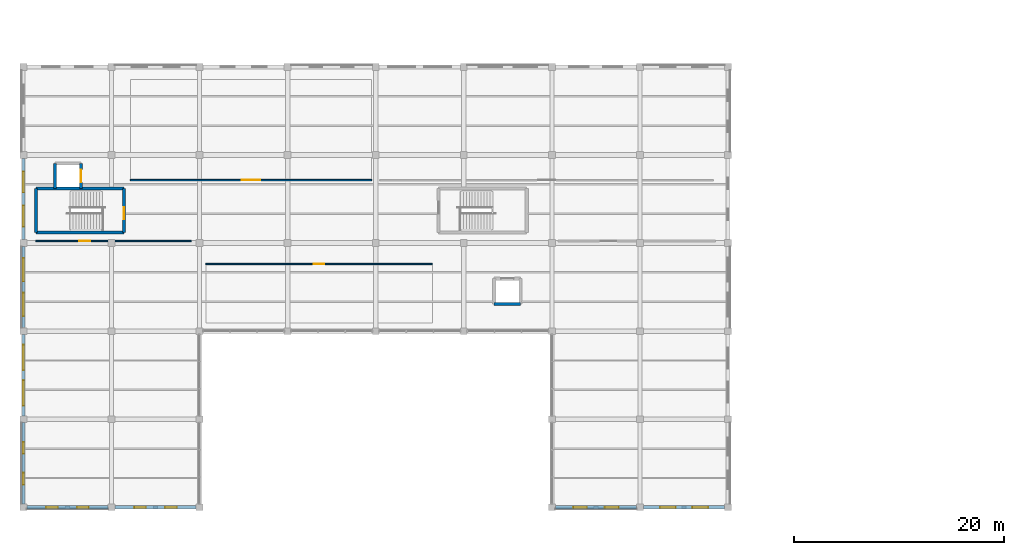
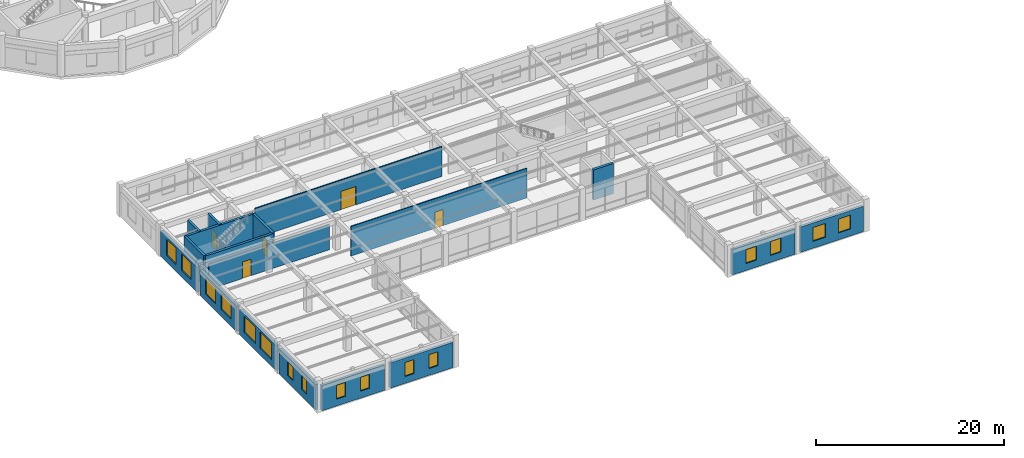
# One storey, part 109 of 138: 18 walls, 16 windows, 5 doors, 21 openings.
"""IFC4 building model written with IfcOpenShell, lengths in metres."""

import ifcopenshell
import ifcopenshell.guid

model = None  # the IFC model being written
_history = None  # IfcOwnerHistory: only IFC2X3 demands one
_inside = {}  # id of a spatial element -> (the spatial element, [elements in it])
_under = {}  # id of a project, library or spatial element -> (it, [spatial elements below it])
_declared = {}  # id of a project -> (the project, [libraries it declares])
_typed = {}  # id of a type object -> (the type object, [elements of that type])
_made_of = {}  # id of a material, layer set ... -> (it, [elements and type objects made of it])


def new_model(schema):
    """Start an empty IFC model of exactly this schema.

    Asked for "IFC4X3", IfcOpenShell would pick the latest addendum, in which some entities
    have other attributes; the version numbers below select the first issue.
    IFC2X3 requires an IfcOwnerHistory on every rooted entity: one is made here for all.
    """
    global model, _history
    if schema == "IFC4X3":
        model = ifcopenshell.file(schema_version=(4, 3, 0, 0))
    else:
        model = ifcopenshell.file(schema=schema)
    _inside.clear()
    _under.clear()
    _declared.clear()
    _typed.clear()
    _made_of.clear()
    _history = None
    if model.schema == "IFC2X3":
        org = make("IfcOrganization", Name="unknown")
        user = make(
            "IfcPersonAndOrganization",
            ThePerson=make("IfcPerson", FamilyName="unknown"),
            TheOrganization=org,
        )
        app = make(
            "IfcApplication",
            ApplicationDeveloper=org,
            Version="unknown",
            ApplicationFullName="unknown",
            ApplicationIdentifier="unknown",
        )
        _history = make(
            "IfcOwnerHistory",
            OwningUser=user,
            OwningApplication=app,
            ChangeAction="ADDED",
            CreationDate=0,
        )
    return model


def make(cls, **values):
    """One entity of the class cls with the attributes given. An attribute that is None is left unset."""
    return model.create_entity(
        cls, **{name: value for name, value in values.items() if value is not None}
    )


def rooted(cls, **values):
    """An entity with a GlobalId (a new one), such as an element, a storey or a relation."""
    return make(cls, GlobalId=ifcopenshell.guid.new(), OwnerHistory=_history, **values)


def si_unit(unit_type, name, prefix=None):
    """IfcSIUnit, for example si_unit("LENGTHUNIT", "METRE", prefix="MILLI")."""
    return make("IfcSIUnit", UnitType=unit_type, Prefix=prefix, Name=name)


def assignment(units):
    """IfcUnitAssignment: the units of a project."""
    return None if units is None else make("IfcUnitAssignment", Units=units)


def point(xyz):
    """IfcCartesianPoint."""
    return None if xyz is None else make("IfcCartesianPoint", Coordinates=xyz)


def direction(xyz):
    """IfcDirection."""
    return None if xyz is None else make("IfcDirection", DirectionRatios=xyz)


def frame(location, z_axis=None, x_axis=None):
    """IfcAxis2Placement3D, a coordinate frame: its origin and axes. An axis left out is left unset."""
    return make(
        "IfcAxis2Placement3D",
        Location=point(location),
        Axis=direction(z_axis),
        RefDirection=direction(x_axis),
    )


def frame_2d(location, x_axis=None):
    """IfcAxis2Placement2D, a coordinate frame in the plane: its origin and x axis."""
    return make(
        "IfcAxis2Placement2D", Location=point(location), RefDirection=direction(x_axis)
    )


def origin():
    """The frame at (0, 0, 0) with its axes left unset."""
    return frame((0.0, 0.0, 0.0))


def place(relative_to, where):
    """IfcLocalPlacement: puts the frame where relative to a parent placement (None: the world)."""
    return make(
        "IfcLocalPlacement", PlacementRelTo=relative_to, RelativePlacement=where
    )


def context(
    kind, dimensions, precision=None, world=None, true_north=None, identifier=None
):
    """IfcGeometricRepresentationContext, for example the 3D "Model" context."""
    return make(
        "IfcGeometricRepresentationContext",
        ContextIdentifier=identifier,
        ContextType=kind,
        CoordinateSpaceDimension=dimensions,
        Precision=precision,
        WorldCoordinateSystem=world,
        TrueNorth=true_north,
    )


def subcontext(parent, identifier, kind, view, scale=None):
    """IfcGeometricRepresentationSubContext, for example "Body" below "Model"."""
    return make(
        "IfcGeometricRepresentationSubContext",
        ContextIdentifier=identifier,
        ContextType=kind,
        ParentContext=parent,
        TargetScale=scale,
        TargetView=view,
    )


def project(units=None, contexts=None):
    """IfcProject with its units and contexts."""
    return rooted(
        "IfcProject",
        Name="project",
        RepresentationContexts=contexts,
        UnitsInContext=assignment(units),
    )


def spatial(cls, under=None, at=None, **own):
    """A site, building, storey or space (cls), placed at a placement, below another one or the project."""
    s = rooted(cls, ObjectPlacement=at, **own)
    if under is not None:
        _under.setdefault(under.id(), (under, []))[1].append(s)
    return s


def profile(cls, at=None, kind="AREA", **sizes):
    """A parametric profile (cls). Its sizes go by their IFC names, for example OverallWidth=200.0."""
    return make(cls, ProfileType=kind, Position=at, **sizes)


def rectangle(**sizes):
    """IfcRectangleProfileDef."""
    return profile("IfcRectangleProfileDef", **sizes)


def extrude(swept, where, along, depth):
    """IfcExtrudedAreaSolid: the profile swept, set in the frame where, extruded along a direction by depth."""
    return make(
        "IfcExtrudedAreaSolid",
        SweptArea=swept,
        Position=where,
        ExtrudedDirection=direction(along),
        Depth=depth,
    )


def shape(context_of_items, identifier, shape_type, items):
    """IfcShapeRepresentation: the items that make up one representation, for example the "Body"."""
    return make(
        "IfcShapeRepresentation",
        ContextOfItems=context_of_items,
        RepresentationIdentifier=identifier,
        RepresentationType=shape_type,
        Items=items,
    )


def material(Name=None, Category=None):
    """IfcMaterial."""
    return make("IfcMaterial", Name=Name, Category=Category)


def layer(
    of_material, thickness, ventilated=None, Name=None, Category=None, Priority=None
):
    """IfcMaterialLayer: one layer of a wall or slab, of a material (None: an air gap)."""
    return make(
        "IfcMaterialLayer",
        Material=of_material,
        LayerThickness=thickness,
        IsVentilated=ventilated,
        Name=Name,
        Category=Category,
        Priority=Priority,
    )


def layer_set(layers, Name=None):
    """IfcMaterialLayerSet."""
    return make("IfcMaterialLayerSet", MaterialLayers=layers, LayerSetName=Name)


def made_of(thing, what):
    """Note that an element or type object is made of a material, layer set ...; save() writes the relation."""
    if what is not None:
        _made_of.setdefault(what.id(), (what, []))[1].append(thing)
    return thing


def type_object(cls, material=None, **own):
    """A type object (cls), such as IfcWallType, which elements share."""
    return made_of(rooted(cls, **own), material)


def element(
    cls,
    number,
    at=None,
    inside=None,
    cuts=None,
    type_object=None,
    material=None,
    context=None,
    identifier="Body",
    shape_type=None,
    held_by="IfcProductDefinitionShape",
    body=None,
    shapes=None,
    **own,
):
    """One element of the class cls, such as IfcWall. Its Tag is "e" and its number.

    at: its placement. inside: the storey or other place that contains it. cuts: it is an
    opening in that element (IfcRelVoidsElement). A single representation is given by context,
    identifier, shape_type and body (its items); several are given by shapes. held_by: the class
    of the entity that holds the representations. save() writes the other relations.
    """
    e = rooted(cls, Tag="e%d" % number, ObjectPlacement=at, **own)
    if body is not None:
        shapes = [shape(context, identifier, shape_type, body)]
    if shapes is not None:
        e.Representation = make(held_by, Representations=shapes)
    if inside is not None:
        _inside.setdefault(inside.id(), (inside, []))[1].append(e)
    if cuts is not None:
        rooted(
            "IfcRelVoidsElement", RelatingBuildingElement=cuts, RelatedOpeningElement=e
        )
    if type_object is not None:
        _typed.setdefault(type_object.id(), (type_object, []))[1].append(e)
    return made_of(e, material)


def fill(opening, filler):
    """IfcRelFillsElement: the door or window that sits in an opening."""
    return rooted(
        "IfcRelFillsElement",
        RelatingOpeningElement=opening,
        RelatedBuildingElement=filler,
    )


def aggregate(whole, parts):
    """IfcRelAggregates: a whole, such as a stair, and the parts it consists of."""
    return rooted("IfcRelAggregates", RelatingObject=whole, RelatedObjects=parts)


def save(model, path):
    """Write the relations noted so far, then the file.

    IfcRelAggregates (storeys below a building ...), IfcRelContainedInSpatialStructure (elements
    in a storey), IfcRelDefinesByType, IfcRelAssociatesMaterial and IfcRelDeclares: one each for
    every whole, place, type object, material and project.
    """
    for whole, parts in _under.values():
        aggregate(whole, parts)
    for where, things in _inside.values():
        rooted(
            "IfcRelContainedInSpatialStructure",
            RelatedElements=things,
            RelatingStructure=where,
        )
    for kind, things in _typed.values():
        rooted("IfcRelDefinesByType", RelatedObjects=things, RelatingType=kind)
    for what, things in _made_of.values():
        rooted("IfcRelAssociatesMaterial", RelatedObjects=things, RelatingMaterial=what)
    for by, libraries in _declared.values():
        rooted("IfcRelDeclares", RelatingContext=by, RelatedDefinitions=libraries)
    model.write(path)


model = new_model("IFC4")

# Units and contexts
model_context = context("Model", 3, precision=1e-05, world=origin(), true_north=direction((0.0, 1.0)))
body_context = subcontext(model_context, "Body", "Model", "MODEL_VIEW")
ifc_project = project(units=[si_unit("LENGTHUNIT", "METRE"), si_unit("AREAUNIT", "SQUARE_METRE"), si_unit("VOLUMEUNIT", "CUBIC_METRE"), si_unit("PLANEANGLEUNIT", "RADIAN"), si_unit("MASSUNIT", "GRAM", prefix="KILO"), si_unit("THERMODYNAMICTEMPERATUREUNIT", "KELVIN"), si_unit("POWERUNIT", "WATT")], contexts=[model_context])

# Site, building, storey
site_placement = place(None, origin())
site = spatial("IfcSite", under=ifc_project, at=site_placement, CompositionType="ELEMENT")
building_placement = place(site_placement, origin())
building = spatial("IfcBuilding", under=site, at=building_placement, Name="Darbajah Civic Hall", CompositionType="ELEMENT")
storey_placement = place(building_placement, frame((0.0, 0.0, 9.60009765625)))
storey = spatial("IfcBuildingStorey", under=building, at=storey_placement, Name="L02", CompositionType="ELEMENT", Elevation=9.60009765625)

# Wall
ifc_material_1 = material(Name="Concrete C45/55", Category="concrete")
ifc_layer_1 = layer(ifc_material_1, 0.300048828125, Name="Concrete C45/55")
ifc_layer_set_1 = layer_set([ifc_layer_1], Name="Concrete C45/55")
wall_type_1 = type_object("IfcWallType", Name="Core Shear Wall 300mm", PredefinedType="SHEAR", material=ifc_layer_set_1)
wall_1_placement = place(storey_placement, frame((1.199951171875, 26.199951171875, 0.0), z_axis=(0.0, 0.0, 1.0), x_axis=(1.0, 0.0, 0.0)))
element("IfcWall", 1, at=wall_1_placement, inside=storey, type_object=wall_type_1, Name="L02 core C10 shear wall S", PredefinedType="SHEAR", context=body_context, shape_type="SweptSolid", body=[
    extrude(rectangle(XDim=8.400146484375, YDim=0.300048828125, at=frame_2d((4.2001953125, 0.0))), origin(), (0.0, 0.0, 1.0), 3.919921875),
])

# Wall, opening, door
wall_2_placement = place(storey_placement, frame((9.60009765625, 26.199951171875, 0.0), z_axis=(0.0, 0.0, 1.0), x_axis=(0.0, 1.0, 0.0)))
wall_2 = element("IfcWall", 2, at=wall_2_placement, inside=storey, type_object=wall_type_1, Name="L02 core C10 shear wall E", PredefinedType="SHEAR", context=body_context, shape_type="SweptSolid", body=[
    extrude(rectangle(XDim=4.199951171875, YDim=0.300048828125, at=frame_2d((2.10009765625, 0.0))), origin(), (0.0, 0.0, 1.0), 3.919921875),
])
opening_1_placement = place(wall_2_placement, frame((1.25, 0.0, 0.0)))
opening_1 = element("IfcOpeningElement", 3, at=opening_1_placement, cuts=wall_2, Name="Opening SD-0111", PredefinedType="OPENING", context=body_context, shape_type="SweptSolid", body=[
    extrude(rectangle(XDim=1.14990234375, YDim=2.199951171875, at=frame_2d((0.574951171875, 1.10009765625))), frame((0.0, 0.159912109375, 0.0), z_axis=(0.0, -1.0, 0.0), x_axis=(1.0, 0.0, 0.0)), (0.0, 0.0, 1.0), 0.320068359375),
])
ifc_material_2 = material(Name="Steel Rated Core Door", Category="steel")
door_type_1 = type_object("IfcDoorType", Name="Interior Door 1150x2200", OperationType="NOTDEFINED", PredefinedType="DOOR", material=ifc_material_2)
door_1_placement = place(opening_1_placement, origin())
door_1 = element("IfcDoor", 4, at=door_1_placement, inside=storey, type_object=door_type_1, Name="L02 stair ST10 fire door SD-0111", OperationType="SINGLE_SWING_RIGHT", OverallHeight=2.199951171875, OverallWidth=1.14990234375, PredefinedType="DOOR", context=body_context, shape_type="SweptSolid", body=[
    extrude(rectangle(XDim=1.14990234375, YDim=2.199951171875, at=frame_2d((0.574951171875, 1.10009765625))), frame((0.0, 0.02490234375, 0.0), z_axis=(0.0, -1.0, 0.0), x_axis=(1.0, 0.0, 0.0)), (0.0, 0.0, 1.0), 0.050048828125),
])
fill(opening_1, door_1)

# Walls
wall_3_placement = place(storey_placement, frame((9.60009765625, 30.39990234375, 0.0), z_axis=(0.0, 0.0, 1.0), x_axis=(-1.0, 0.0, 0.0)))
element("IfcWall", 5, at=wall_3_placement, inside=storey, type_object=wall_type_1, Name="L02 core C10 shear wall N", PredefinedType="SHEAR", context=body_context, shape_type="SweptSolid", body=[
    extrude(rectangle(XDim=8.400146484375, YDim=0.300048828125, at=frame_2d((4.2001953125, 0.0))), origin(), (0.0, 0.0, 1.0), 3.919921875),
])
wall_4_placement = place(storey_placement, frame((1.199951171875, 30.39990234375, 0.0), z_axis=(0.0, 0.0, 1.0), x_axis=(0.0, -1.0, 0.0)))
element("IfcWall", 6, at=wall_4_placement, inside=storey, type_object=wall_type_1, Name="L02 core C10 shear wall W", PredefinedType="SHEAR", context=body_context, shape_type="SweptSolid", body=[
    extrude(rectangle(XDim=4.199951171875, YDim=0.300048828125, at=frame_2d((2.10009765625, 0.0))), origin(), (0.0, 0.0, 1.0), 3.919921875),
])
wall_5_placement = place(storey_placement, frame((3.0, 32.800048828125, 0.0), z_axis=(0.0, 0.0, 1.0), x_axis=(0.0, -1.0, 0.0)))
element("IfcWall", 7, at=wall_5_placement, inside=storey, type_object=wall_type_1, Name="L02 lift PL5 shaft wall W", PredefinedType="SHEAR", context=body_context, shape_type="SweptSolid", body=[
    extrude(rectangle(XDim=2.400146484375, YDim=0.300048828125, at=frame_2d((1.2001953125, 0.0))), origin(), (0.0, 0.0, 1.0), 3.919921875),
])

# Wall, opening, door
wall_6_placement = place(storey_placement, frame((5.5, 30.39990234375, 0.0), z_axis=(0.0, 0.0, 1.0), x_axis=(0.0, 1.0, 0.0)))
wall_6 = element("IfcWall", 8, at=wall_6_placement, inside=storey, type_object=wall_type_1, Name="L02 lift PL5 shaft wall E", PredefinedType="SHEAR", context=body_context, shape_type="SweptSolid", body=[
    extrude(rectangle(XDim=2.400146484375, YDim=0.300048828125, at=frame_2d((1.2001953125, 0.0))), origin(), (0.0, 0.0, 1.0), 3.919921875),
])
opening_2_placement = place(wall_6_placement, frame((0.60009765625, 0.0, 0.0)))
opening_2 = element("IfcOpeningElement", 9, at=opening_2_placement, cuts=wall_6, Name="Opening LD-0117", PredefinedType="OPENING", context=body_context, shape_type="SweptSolid", body=[
    extrude(rectangle(XDim=1.199951171875, YDim=2.25, at=frame_2d((0.60009765625, 1.125))), frame((0.0, 0.159912109375, 0.0), z_axis=(0.0, -1.0, 0.0), x_axis=(1.0, 0.0, 0.0)), (0.0, 0.0, 1.0), 0.320068359375),
])
ifc_material_3 = material(Name="Stainless Lift Landing Door")
door_type_2 = type_object("IfcDoorType", Name="Lift Landing Door 1200x2250", OperationType="SLIDING_TO_LEFT", PredefinedType="DOOR", material=ifc_material_3)
door_2_placement = place(opening_2_placement, origin())
door_2 = element("IfcDoor", 10, at=door_2_placement, inside=storey, type_object=door_type_2, Name="L02 lift PL5 landing door LD-0117", OperationType="SLIDING_TO_LEFT", OverallHeight=2.25, OverallWidth=1.199951171875, PredefinedType="DOOR", context=body_context, shape_type="SweptSolid", body=[
    extrude(rectangle(XDim=1.199951171875, YDim=2.25, at=frame_2d((0.60009765625, 1.125))), frame((0.0, 0.02490234375, 0.0), z_axis=(0.0, -1.0, 0.0), x_axis=(1.0, 0.0, 0.0)), (0.0, 0.0, 1.0), 0.050048828125),
])
fill(opening_2, door_2)

# Wall
wall_7_placement = place(storey_placement, frame((44.89990234375, 19.39990234375, 0.0), z_axis=(0.0, 0.0, 1.0), x_axis=(1.0, 0.0, 0.0)))
element("IfcWall", 11, at=wall_7_placement, inside=storey, type_object=wall_type_1, Name="L02 lift PL6 shaft wall S", PredefinedType="SHEAR", context=body_context, shape_type="SweptSolid", body=[
    extrude(rectangle(XDim=2.5, YDim=0.300048828125, at=frame_2d((1.25, 0.0))), origin(), (0.0, 0.0, 1.0), 3.919921875),
])

# Wall, openings, windows
ifc_material_4 = material(Name="Red Dholpur Sandstone Cladding", Category="masonry")
ifc_layer_2 = layer(ifc_material_4, 0.31005859375, Name="Red Dholpur Sandstone Cladding")
ifc_layer_set_2 = layer_set([ifc_layer_2], Name="Red Dholpur Sandstone Cladding")
wall_type_2 = type_object("IfcWallType", Name="Exterior Wall 310mm", PredefinedType="SOLIDWALL", material=ifc_layer_set_2)
wall_8_placement = place(storey_placement, frame((0.326904296875, 0.0, 0.0), z_axis=(0.0, 0.0, 1.0), x_axis=(1.0, 0.0, 0.0)))
wall_8 = element("IfcWall", 12, at=wall_8_placement, inside=storey, type_object=wall_type_2, Name="L02 exterior wall EW-310", PredefinedType="SOLIDWALL", context=body_context, shape_type="SweptSolid", body=[
    extrude(rectangle(XDim=7.74609375, YDim=0.31005859375, at=frame_2d((3.873046875, 0.0))), origin(), (0.0, 0.0, 1.0), 3.289794921875),
])
opening_3_placement = place(wall_8_placement, frame((1.8486328125, 0.0, 0.89990234375)))
opening_3 = element("IfcOpeningElement", 13, at=opening_3_placement, cuts=wall_8, Name="Opening WN-17", PredefinedType="OPENING", context=body_context, shape_type="SweptSolid", body=[
    extrude(rectangle(XDim=1.10009765625, YDim=1.800048828125, at=frame_2d((0.550048828125, 0.89990234375))), frame((0.0, 0.1650390625, 0.0), z_axis=(0.0, -1.0, 0.0), x_axis=(1.0, 0.0, 0.0)), (0.0, 0.0, 1.0), 0.330078125),
])
opening_4_placement = place(wall_8_placement, frame((4.79736328125, 0.0, 0.89990234375)))
opening_4 = element("IfcOpeningElement", 14, at=opening_4_placement, cuts=wall_8, Name="Opening WN-17", PredefinedType="OPENING", context=body_context, shape_type="SweptSolid", body=[
    extrude(rectangle(XDim=1.10009765625, YDim=1.800048828125, at=frame_2d((0.550048828125, 0.89990234375))), frame((0.0, 0.1650390625, 0.0), z_axis=(0.0, -1.0, 0.0), x_axis=(1.0, 0.0, 0.0)), (0.0, 0.0, 1.0), 0.330078125),
])
ifc_material_5 = material(Name="Low-E Solar Control Double Glazing", Category="glass")
window_type_1 = type_object("IfcWindowType", Name="Facade Window 1100x1800", PartitioningType="SINGLE_PANEL", PredefinedType="WINDOW", material=ifc_material_5)
window_1_placement = place(opening_3_placement, origin())
window_1 = element("IfcWindow", 15, at=window_1_placement, inside=storey, type_object=window_type_1, Name="L02 facade window WN-17", OverallHeight=1.800048828125, OverallWidth=1.10009765625, PartitioningType="SINGLE_PANEL", PredefinedType="WINDOW", context=body_context, shape_type="SweptSolid", body=[
    extrude(rectangle(XDim=1.10009765625, YDim=1.800048828125, at=frame_2d((0.550048828125, 0.89990234375))), frame((0.0, 0.030029296875, 0.0), z_axis=(0.0, -1.0, 0.0), x_axis=(1.0, 0.0, 0.0)), (0.0, 0.0, 1.0), 0.06005859375),
])
fill(opening_3, window_1)
window_2_placement = place(opening_4_placement, origin())
window_2 = element("IfcWindow", 16, at=window_2_placement, inside=storey, type_object=window_type_1, Name="L02 facade window WN-17", OverallHeight=1.800048828125, OverallWidth=1.10009765625, PartitioningType="SINGLE_PANEL", PredefinedType="WINDOW", context=body_context, shape_type="SweptSolid", body=[
    extrude(rectangle(XDim=1.10009765625, YDim=1.800048828125, at=frame_2d((0.550048828125, 0.89990234375))), frame((0.0, 0.030029296875, 0.0), z_axis=(0.0, -1.0, 0.0), x_axis=(1.0, 0.0, 0.0)), (0.0, 0.0, 1.0), 0.06005859375),
])
fill(opening_4, window_2)

wall_9_placement = place(storey_placement, frame((8.72705078125, 0.0, 0.0), z_axis=(0.0, 0.0, 1.0), x_axis=(1.0, 0.0, 0.0)))
wall_9 = element("IfcWall", 17, at=wall_9_placement, inside=storey, type_object=wall_type_2, Name="L02 exterior wall EW-310", PredefinedType="SOLIDWALL", context=body_context, shape_type="SweptSolid", body=[
    extrude(rectangle(XDim=7.745849609375, YDim=0.31005859375, at=frame_2d((3.873046875, 0.0))), origin(), (0.0, 0.0, 1.0), 3.289794921875),
])
opening_5_placement = place(wall_9_placement, frame((1.8486328125, 0.0, 0.89990234375)))
opening_5 = element("IfcOpeningElement", 18, at=opening_5_placement, cuts=wall_9, Name="Opening WN-17", PredefinedType="OPENING", context=body_context, shape_type="SweptSolid", body=[
    extrude(rectangle(XDim=1.10009765625, YDim=1.800048828125, at=frame_2d((0.550048828125, 0.89990234375))), frame((0.0, 0.1650390625, 0.0), z_axis=(0.0, -1.0, 0.0), x_axis=(1.0, 0.0, 0.0)), (0.0, 0.0, 1.0), 0.330078125),
])
opening_6_placement = place(wall_9_placement, frame((4.79736328125, 0.0, 0.89990234375)))
opening_6 = element("IfcOpeningElement", 19, at=opening_6_placement, cuts=wall_9, Name="Opening WN-17", PredefinedType="OPENING", context=body_context, shape_type="SweptSolid", body=[
    extrude(rectangle(XDim=1.10009765625, YDim=1.800048828125, at=frame_2d((0.550048828125, 0.89990234375))), frame((0.0, 0.1650390625, 0.0), z_axis=(0.0, -1.0, 0.0), x_axis=(1.0, 0.0, 0.0)), (0.0, 0.0, 1.0), 0.330078125),
])
window_3_placement = place(opening_5_placement, origin())
window_3 = element("IfcWindow", 20, at=window_3_placement, inside=storey, type_object=window_type_1, Name="L02 facade window WN-17", OverallHeight=1.800048828125, OverallWidth=1.10009765625, PartitioningType="SINGLE_PANEL", PredefinedType="WINDOW", context=body_context, shape_type="SweptSolid", body=[
    extrude(rectangle(XDim=1.10009765625, YDim=1.800048828125, at=frame_2d((0.550048828125, 0.89990234375))), frame((0.0, 0.030029296875, 0.0), z_axis=(0.0, -1.0, 0.0), x_axis=(1.0, 0.0, 0.0)), (0.0, 0.0, 1.0), 0.06005859375),
])
fill(opening_5, window_3)
window_4_placement = place(opening_6_placement, origin())
window_4 = element("IfcWindow", 21, at=window_4_placement, inside=storey, type_object=window_type_1, Name="L02 facade window WN-17", OverallHeight=1.800048828125, OverallWidth=1.10009765625, PartitioningType="SINGLE_PANEL", PredefinedType="WINDOW", context=body_context, shape_type="SweptSolid", body=[
    extrude(rectangle(XDim=1.10009765625, YDim=1.800048828125, at=frame_2d((0.550048828125, 0.89990234375))), frame((0.0, 0.030029296875, 0.0), z_axis=(0.0, -1.0, 0.0), x_axis=(1.0, 0.0, 0.0)), (0.0, 0.0, 1.0), 0.06005859375),
])
fill(opening_6, window_4)

wall_10_placement = place(storey_placement, frame((50.72705078125, 0.0, 0.0), z_axis=(0.0, 0.0, 1.0), x_axis=(1.0, 0.0, 0.0)))
wall_10 = element("IfcWall", 22, at=wall_10_placement, inside=storey, type_object=wall_type_2, Name="L02 exterior wall EW-310", PredefinedType="SOLIDWALL", context=body_context, shape_type="SweptSolid", body=[
    extrude(rectangle(XDim=7.745849609375, YDim=0.31005859375, at=frame_2d((3.873046875, 0.0))), origin(), (0.0, 0.0, 1.0), 3.289794921875),
])
opening_7_placement = place(wall_10_placement, frame((1.71533203125, 0.0, 0.89990234375)))
opening_7 = element("IfcOpeningElement", 23, at=opening_7_placement, cuts=wall_10, Name="Opening WN-18", PredefinedType="OPENING", context=body_context, shape_type="SweptSolid", body=[
    extrude(rectangle(XDim=1.300048828125, YDim=1.800048828125, at=frame_2d((0.64990234375, 0.89990234375))), frame((0.0, 0.1650390625, 0.0), z_axis=(0.0, -1.0, 0.0), x_axis=(1.0, 0.0, 0.0)), (0.0, 0.0, 1.0), 0.330078125),
])
opening_8_placement = place(wall_10_placement, frame((4.730712890625, 0.0, 0.89990234375)))
opening_8 = element("IfcOpeningElement", 24, at=opening_8_placement, cuts=wall_10, Name="Opening WN-18", PredefinedType="OPENING", context=body_context, shape_type="SweptSolid", body=[
    extrude(rectangle(XDim=1.300048828125, YDim=1.800048828125, at=frame_2d((0.64990234375, 0.89990234375))), frame((0.0, 0.1650390625, 0.0), z_axis=(0.0, -1.0, 0.0), x_axis=(1.0, 0.0, 0.0)), (0.0, 0.0, 1.0), 0.330078125),
])
window_type_2 = type_object("IfcWindowType", Name="Facade Window 1300x1800", PartitioningType="SINGLE_PANEL", PredefinedType="WINDOW", material=ifc_material_5)
window_5_placement = place(opening_7_placement, origin())
window_5 = element("IfcWindow", 25, at=window_5_placement, inside=storey, type_object=window_type_2, Name="L02 facade window WN-18", OverallHeight=1.800048828125, OverallWidth=1.300048828125, PartitioningType="SINGLE_PANEL", PredefinedType="WINDOW", context=body_context, shape_type="SweptSolid", body=[
    extrude(rectangle(XDim=1.300048828125, YDim=1.800048828125, at=frame_2d((0.64990234375, 0.89990234375))), frame((0.0, 0.030029296875, 0.0), z_axis=(0.0, -1.0, 0.0), x_axis=(1.0, 0.0, 0.0)), (0.0, 0.0, 1.0), 0.06005859375),
])
fill(opening_7, window_5)
window_6_placement = place(opening_8_placement, origin())
window_6 = element("IfcWindow", 26, at=window_6_placement, inside=storey, type_object=window_type_2, Name="L02 facade window WN-18", OverallHeight=1.800048828125, OverallWidth=1.300048828125, PartitioningType="SINGLE_PANEL", PredefinedType="WINDOW", context=body_context, shape_type="SweptSolid", body=[
    extrude(rectangle(XDim=1.300048828125, YDim=1.800048828125, at=frame_2d((0.64990234375, 0.89990234375))), frame((0.0, 0.030029296875, 0.0), z_axis=(0.0, -1.0, 0.0), x_axis=(1.0, 0.0, 0.0)), (0.0, 0.0, 1.0), 0.06005859375),
])
fill(opening_8, window_6)

wall_11_placement = place(storey_placement, frame((59.126953125, 0.0, 0.0), z_axis=(0.0, 0.0, 1.0), x_axis=(1.0, 0.0, 0.0)))
wall_11 = element("IfcWall", 27, at=wall_11_placement, inside=storey, type_object=wall_type_2, Name="L02 exterior wall EW-310", PredefinedType="SOLIDWALL", context=body_context, shape_type="SweptSolid", body=[
    extrude(rectangle(XDim=7.74609375, YDim=0.31005859375, at=frame_2d((3.873046875, 0.0))), origin(), (0.0, 0.0, 1.0), 3.289794921875),
])
opening_9_placement = place(wall_11_placement, frame((1.58203125, 0.0, 0.89990234375)))
opening_9 = element("IfcOpeningElement", 28, at=opening_9_placement, cuts=wall_11, Name="Opening WN-19", PredefinedType="OPENING", context=body_context, shape_type="SweptSolid", body=[
    extrude(rectangle(XDim=1.5, YDim=1.800048828125, at=frame_2d((0.75, 0.89990234375))), frame((0.0, 0.1650390625, 0.0), z_axis=(0.0, -1.0, 0.0), x_axis=(1.0, 0.0, 0.0)), (0.0, 0.0, 1.0), 0.330078125),
])
opening_10_placement = place(wall_11_placement, frame((4.6640625, 0.0, 0.89990234375)))
opening_10 = element("IfcOpeningElement", 29, at=opening_10_placement, cuts=wall_11, Name="Opening WN-19", PredefinedType="OPENING", context=body_context, shape_type="SweptSolid", body=[
    extrude(rectangle(XDim=1.5, YDim=1.800048828125, at=frame_2d((0.75, 0.89990234375))), frame((0.0, 0.1650390625, 0.0), z_axis=(0.0, -1.0, 0.0), x_axis=(1.0, 0.0, 0.0)), (0.0, 0.0, 1.0), 0.330078125),
])
window_type_3 = type_object("IfcWindowType", Name="Facade Window 1500x1800", PartitioningType="SINGLE_PANEL", PredefinedType="WINDOW", material=ifc_material_5)
window_7_placement = place(opening_9_placement, origin())
window_7 = element("IfcWindow", 30, at=window_7_placement, inside=storey, type_object=window_type_3, Name="L02 facade window WN-19", OverallHeight=1.800048828125, OverallWidth=1.5, PartitioningType="SINGLE_PANEL", PredefinedType="WINDOW", context=body_context, shape_type="SweptSolid", body=[
    extrude(rectangle(XDim=1.5, YDim=1.800048828125, at=frame_2d((0.75, 0.89990234375))), frame((0.0, 0.030029296875, 0.0), z_axis=(0.0, -1.0, 0.0), x_axis=(1.0, 0.0, 0.0)), (0.0, 0.0, 1.0), 0.06005859375),
])
fill(opening_9, window_7)
window_8_placement = place(opening_10_placement, origin())
window_8 = element("IfcWindow", 31, at=window_8_placement, inside=storey, type_object=window_type_3, Name="L02 facade window WN-19", OverallHeight=1.800048828125, OverallWidth=1.5, PartitioningType="SINGLE_PANEL", PredefinedType="WINDOW", context=body_context, shape_type="SweptSolid", body=[
    extrude(rectangle(XDim=1.5, YDim=1.800048828125, at=frame_2d((0.75, 0.89990234375))), frame((0.0, 0.030029296875, 0.0), z_axis=(0.0, -1.0, 0.0), x_axis=(1.0, 0.0, 0.0)), (0.0, 0.0, 1.0), 0.06005859375),
])
fill(opening_10, window_8)

wall_12_placement = place(storey_placement, frame((0.0, 33.27294921875, 0.0), z_axis=(0.0, 0.0, 1.0), x_axis=(0.0, -1.0, 0.0)))
wall_12 = element("IfcWall", 32, at=wall_12_placement, inside=storey, type_object=wall_type_2, Name="L02 exterior wall EW-310", PredefinedType="SOLIDWALL", context=body_context, shape_type="SweptSolid", body=[
    extrude(rectangle(XDim=7.745849609375, YDim=0.31005859375, at=frame_2d((3.873046875, 0.0))), origin(), (0.0, 0.0, 1.0), 3.289794921875),
])
opening_11_placement = place(wall_12_placement, frame((1.248779296875, 0.0, 0.89990234375)))
opening_11 = element("IfcOpeningElement", 33, at=opening_11_placement, cuts=wall_12, Name="Opening WN-06", PredefinedType="OPENING", context=body_context, shape_type="SweptSolid", body=[
    extrude(rectangle(XDim=2.0, YDim=2.10009765625, at=frame_2d((1.0, 1.050048828125))), frame((0.0, 0.1650390625, 0.0), z_axis=(0.0, -1.0, 0.0), x_axis=(1.0, 0.0, 0.0)), (0.0, 0.0, 1.0), 0.330078125),
])
opening_12_placement = place(wall_12_placement, frame((4.497314453125, 0.0, 0.89990234375)))
opening_12 = element("IfcOpeningElement", 34, at=opening_12_placement, cuts=wall_12, Name="Opening WN-06", PredefinedType="OPENING", context=body_context, shape_type="SweptSolid", body=[
    extrude(rectangle(XDim=2.0, YDim=2.10009765625, at=frame_2d((1.0, 1.050048828125))), frame((0.0, 0.1650390625, 0.0), z_axis=(0.0, -1.0, 0.0), x_axis=(1.0, 0.0, 0.0)), (0.0, 0.0, 1.0), 0.330078125),
])
window_type_4 = type_object("IfcWindowType", Name="Facade Window 2000x2100", PartitioningType="DOUBLE_PANEL_VERTICAL", PredefinedType="WINDOW", material=ifc_material_5)
window_9_placement = place(opening_11_placement, origin())
window_9 = element("IfcWindow", 35, at=window_9_placement, inside=storey, type_object=window_type_4, Name="L02 facade window WN-06", OverallHeight=2.10009765625, OverallWidth=2.0, PartitioningType="SINGLE_PANEL", PredefinedType="WINDOW", context=body_context, shape_type="SweptSolid", body=[
    extrude(rectangle(XDim=2.0, YDim=2.10009765625, at=frame_2d((1.0, 1.050048828125))), frame((0.0, 0.030029296875, 0.0), z_axis=(0.0, -1.0, 0.0), x_axis=(1.0, 0.0, 0.0)), (0.0, 0.0, 1.0), 0.06005859375),
])
fill(opening_11, window_9)
window_10_placement = place(opening_12_placement, origin())
window_10 = element("IfcWindow", 36, at=window_10_placement, inside=storey, type_object=window_type_4, Name="L02 facade window WN-06", OverallHeight=2.10009765625, OverallWidth=2.0, PartitioningType="SINGLE_PANEL", PredefinedType="WINDOW", context=body_context, shape_type="SweptSolid", body=[
    extrude(rectangle(XDim=2.0, YDim=2.10009765625, at=frame_2d((1.0, 1.050048828125))), frame((0.0, 0.030029296875, 0.0), z_axis=(0.0, -1.0, 0.0), x_axis=(1.0, 0.0, 0.0)), (0.0, 0.0, 1.0), 0.06005859375),
])
fill(opening_12, window_10)

wall_13_placement = place(storey_placement, frame((0.0, 24.873046875, 0.0), z_axis=(0.0, 0.0, 1.0), x_axis=(0.0, -1.0, 0.0)))
wall_13 = element("IfcWall", 37, at=wall_13_placement, inside=storey, type_object=wall_type_2, Name="L02 exterior wall EW-310", PredefinedType="SOLIDWALL", context=body_context, shape_type="SweptSolid", body=[
    extrude(rectangle(XDim=7.74609375, YDim=0.31005859375, at=frame_2d((3.873046875, 0.0))), origin(), (0.0, 0.0, 1.0), 3.289794921875),
])
opening_13_placement = place(wall_13_placement, frame((1.115234375, 0.0, 0.89990234375)))
opening_13 = element("IfcOpeningElement", 38, at=opening_13_placement, cuts=wall_13, Name="Opening WN-07", PredefinedType="OPENING", context=body_context, shape_type="SweptSolid", body=[
    extrude(rectangle(XDim=2.199951171875, YDim=2.10009765625, at=frame_2d((1.10009765625, 1.050048828125))), frame((0.0, 0.1650390625, 0.0), z_axis=(0.0, -1.0, 0.0), x_axis=(1.0, 0.0, 0.0)), (0.0, 0.0, 1.0), 0.330078125),
])
opening_14_placement = place(wall_13_placement, frame((4.4306640625, 0.0, 0.89990234375)))
opening_14 = element("IfcOpeningElement", 39, at=opening_14_placement, cuts=wall_13, Name="Opening WN-07", PredefinedType="OPENING", context=body_context, shape_type="SweptSolid", body=[
    extrude(rectangle(XDim=2.199951171875, YDim=2.10009765625, at=frame_2d((1.10009765625, 1.050048828125))), frame((0.0, 0.1650390625, 0.0), z_axis=(0.0, -1.0, 0.0), x_axis=(1.0, 0.0, 0.0)), (0.0, 0.0, 1.0), 0.330078125),
])
window_type_5 = type_object("IfcWindowType", Name="Facade Window 2200x2100", PartitioningType="DOUBLE_PANEL_VERTICAL", PredefinedType="WINDOW", material=ifc_material_5)
window_11_placement = place(opening_13_placement, origin())
window_11 = element("IfcWindow", 40, at=window_11_placement, inside=storey, type_object=window_type_5, Name="L02 facade window WN-07", OverallHeight=2.10009765625, OverallWidth=2.199951171875, PartitioningType="SINGLE_PANEL", PredefinedType="WINDOW", context=body_context, shape_type="SweptSolid", body=[
    extrude(rectangle(XDim=2.199951171875, YDim=2.10009765625, at=frame_2d((1.10009765625, 1.050048828125))), frame((0.0, 0.030029296875, 0.0), z_axis=(0.0, -1.0, 0.0), x_axis=(1.0, 0.0, 0.0)), (0.0, 0.0, 1.0), 0.06005859375),
])
fill(opening_13, window_11)
window_12_placement = place(opening_14_placement, origin())
window_12 = element("IfcWindow", 41, at=window_12_placement, inside=storey, type_object=window_type_5, Name="L02 facade window WN-07", OverallHeight=2.10009765625, OverallWidth=2.199951171875, PartitioningType="SINGLE_PANEL", PredefinedType="WINDOW", context=body_context, shape_type="SweptSolid", body=[
    extrude(rectangle(XDim=2.199951171875, YDim=2.10009765625, at=frame_2d((1.10009765625, 1.050048828125))), frame((0.0, 0.030029296875, 0.0), z_axis=(0.0, -1.0, 0.0), x_axis=(1.0, 0.0, 0.0)), (0.0, 0.0, 1.0), 0.06005859375),
])
fill(opening_14, window_12)

wall_14_placement = place(storey_placement, frame((0.0, 16.472900390625, 0.0), z_axis=(0.0, 0.0, 1.0), x_axis=(0.0, -1.0, 0.0)))
wall_14 = element("IfcWall", 42, at=wall_14_placement, inside=storey, type_object=wall_type_2, Name="L02 exterior wall EW-310", PredefinedType="SOLIDWALL", context=body_context, shape_type="SweptSolid", body=[
    extrude(rectangle(XDim=7.745849609375, YDim=0.31005859375, at=frame_2d((3.873046875, 0.0))), origin(), (0.0, 0.0, 1.0), 3.289794921875),
])
opening_15_placement = place(wall_14_placement, frame((0.98193359375, 0.0, 0.89990234375)))
opening_15 = element("IfcOpeningElement", 43, at=opening_15_placement, cuts=wall_14, Name="Opening WN-08", PredefinedType="OPENING", context=body_context, shape_type="SweptSolid", body=[
    extrude(rectangle(XDim=2.39990234375, YDim=2.10009765625, at=frame_2d((1.199951171875, 1.050048828125))), frame((0.0, 0.1650390625, 0.0), z_axis=(0.0, -1.0, 0.0), x_axis=(1.0, 0.0, 0.0)), (0.0, 0.0, 1.0), 0.330078125),
])
opening_16_placement = place(wall_14_placement, frame((4.364013671875, 0.0, 0.89990234375)))
opening_16 = element("IfcOpeningElement", 44, at=opening_16_placement, cuts=wall_14, Name="Opening WN-08", PredefinedType="OPENING", context=body_context, shape_type="SweptSolid", body=[
    extrude(rectangle(XDim=2.39990234375, YDim=2.10009765625, at=frame_2d((1.199951171875, 1.050048828125))), frame((0.0, 0.1650390625, 0.0), z_axis=(0.0, -1.0, 0.0), x_axis=(1.0, 0.0, 0.0)), (0.0, 0.0, 1.0), 0.330078125),
])
window_type_6 = type_object("IfcWindowType", Name="Facade Window 2400x2100", PartitioningType="DOUBLE_PANEL_VERTICAL", PredefinedType="WINDOW", material=ifc_material_5)
window_13_placement = place(opening_15_placement, origin())
window_13 = element("IfcWindow", 45, at=window_13_placement, inside=storey, type_object=window_type_6, Name="L02 facade window WN-08", OverallHeight=2.10009765625, OverallWidth=2.39990234375, PartitioningType="SINGLE_PANEL", PredefinedType="WINDOW", context=body_context, shape_type="SweptSolid", body=[
    extrude(rectangle(XDim=2.39990234375, YDim=2.10009765625, at=frame_2d((1.199951171875, 1.050048828125))), frame((0.0, 0.030029296875, 0.0), z_axis=(0.0, -1.0, 0.0), x_axis=(1.0, 0.0, 0.0)), (0.0, 0.0, 1.0), 0.06005859375),
])
fill(opening_15, window_13)
window_14_placement = place(opening_16_placement, origin())
window_14 = element("IfcWindow", 46, at=window_14_placement, inside=storey, type_object=window_type_6, Name="L02 facade window WN-08", OverallHeight=2.10009765625, OverallWidth=2.39990234375, PartitioningType="SINGLE_PANEL", PredefinedType="WINDOW", context=body_context, shape_type="SweptSolid", body=[
    extrude(rectangle(XDim=2.39990234375, YDim=2.10009765625, at=frame_2d((1.199951171875, 1.050048828125))), frame((0.0, 0.030029296875, 0.0), z_axis=(0.0, -1.0, 0.0), x_axis=(1.0, 0.0, 0.0)), (0.0, 0.0, 1.0), 0.06005859375),
])
fill(opening_16, window_14)

wall_15_placement = place(storey_placement, frame((0.0, 8.072998046875, 0.0), z_axis=(0.0, 0.0, 1.0), x_axis=(0.0, -1.0, 0.0)))
wall_15 = element("IfcWall", 47, at=wall_15_placement, inside=storey, type_object=wall_type_2, Name="L02 exterior wall EW-310", PredefinedType="SOLIDWALL", context=body_context, shape_type="SweptSolid", body=[
    extrude(rectangle(XDim=7.74609375, YDim=0.31005859375, at=frame_2d((3.873046875, 0.0))), origin(), (0.0, 0.0, 1.0), 3.289794921875),
])
opening_17_placement = place(wall_15_placement, frame((1.8486328125, 0.0, 0.89990234375)))
opening_17 = element("IfcOpeningElement", 48, at=opening_17_placement, cuts=wall_15, Name="Opening WN-17", PredefinedType="OPENING", context=body_context, shape_type="SweptSolid", body=[
    extrude(rectangle(XDim=1.10009765625, YDim=1.800048828125, at=frame_2d((0.550048828125, 0.89990234375))), frame((0.0, 0.1650390625, 0.0), z_axis=(0.0, -1.0, 0.0), x_axis=(1.0, 0.0, 0.0)), (0.0, 0.0, 1.0), 0.330078125),
])
opening_18_placement = place(wall_15_placement, frame((4.79736328125, 0.0, 0.89990234375)))
opening_18 = element("IfcOpeningElement", 49, at=opening_18_placement, cuts=wall_15, Name="Opening WN-17", PredefinedType="OPENING", context=body_context, shape_type="SweptSolid", body=[
    extrude(rectangle(XDim=1.10009765625, YDim=1.800048828125, at=frame_2d((0.550048828125, 0.89990234375))), frame((0.0, 0.1650390625, 0.0), z_axis=(0.0, -1.0, 0.0), x_axis=(1.0, 0.0, 0.0)), (0.0, 0.0, 1.0), 0.330078125),
])
window_15_placement = place(opening_17_placement, origin())
window_15 = element("IfcWindow", 50, at=window_15_placement, inside=storey, type_object=window_type_1, Name="L02 facade window WN-17", OverallHeight=1.800048828125, OverallWidth=1.10009765625, PartitioningType="SINGLE_PANEL", PredefinedType="WINDOW", context=body_context, shape_type="SweptSolid", body=[
    extrude(rectangle(XDim=1.10009765625, YDim=1.800048828125, at=frame_2d((0.550048828125, 0.89990234375))), frame((0.0, 0.030029296875, 0.0), z_axis=(0.0, -1.0, 0.0), x_axis=(1.0, 0.0, 0.0)), (0.0, 0.0, 1.0), 0.06005859375),
])
fill(opening_17, window_15)
window_16_placement = place(opening_18_placement, origin())
window_16 = element("IfcWindow", 51, at=window_16_placement, inside=storey, type_object=window_type_1, Name="L02 facade window WN-17", OverallHeight=1.800048828125, OverallWidth=1.10009765625, PartitioningType="SINGLE_PANEL", PredefinedType="WINDOW", context=body_context, shape_type="SweptSolid", body=[
    extrude(rectangle(XDim=1.10009765625, YDim=1.800048828125, at=frame_2d((0.550048828125, 0.89990234375))), frame((0.0, 0.030029296875, 0.0), z_axis=(0.0, -1.0, 0.0), x_axis=(1.0, 0.0, 0.0)), (0.0, 0.0, 1.0), 0.06005859375),
])
fill(opening_18, window_16)

# Wall, opening, door
ifc_material_6 = material(Name="Acoustic Gypsum Partition")
ifc_layer_3 = layer(ifc_material_6, 0.114990234375, Name="Acoustic Gypsum Partition")
ifc_layer_set_3 = layer_set([ifc_layer_3], Name="Acoustic Gypsum Partition")
wall_type_3 = type_object("IfcWallType", Name="Interior Partition 115mm", PredefinedType="PARTITIONING", material=ifc_layer_set_3)
wall_16_placement = place(storey_placement, frame((17.39990234375, 23.199951171875, 0.0), z_axis=(0.0, 0.0, 1.0), x_axis=(1.0, 0.0, 0.0)))
wall_16 = element("IfcWall", 52, at=wall_16_placement, inside=storey, type_object=wall_type_3, Name="L02 interior partition L02-V5-02", PredefinedType="PARTITIONING", context=body_context, shape_type="SweptSolid", body=[
    extrude(rectangle(XDim=21.60009765625, YDim=0.114990234375, at=frame_2d((10.800048828125, 0.0))), origin(), (0.0, 0.0, 1.0), 3.85986328125),
])
opening_19_placement = place(wall_16_placement, frame((10.300048828125, 0.0, 0.0)))
opening_19 = element("IfcOpeningElement", 53, at=opening_19_placement, cuts=wall_16, Name="Opening D-0217", PredefinedType="OPENING", context=body_context, shape_type="SweptSolid", body=[
    extrude(rectangle(XDim=1.0, YDim=2.10009765625, at=frame_2d((0.5, 1.050048828125))), frame((0.0, 0.0673828125, 0.0), z_axis=(0.0, -1.0, 0.0), x_axis=(1.0, 0.0, 0.0)), (0.0, 0.0, 1.0), 0.135009765625),
])
ifc_material_7 = material(Name="Oak Suite Door")
door_type_3 = type_object("IfcDoorType", Name="Interior Door 1000x2100", OperationType="NOTDEFINED", PredefinedType="DOOR", material=ifc_material_7)
door_3_placement = place(opening_19_placement, origin())
door_3 = element("IfcDoor", 54, at=door_3_placement, inside=storey, type_object=door_type_3, Name="L02 L02-V5-02 door D-0217", OperationType="SINGLE_SWING_RIGHT", OverallHeight=2.10009765625, OverallWidth=1.0, PredefinedType="DOOR", context=body_context, shape_type="SweptSolid", body=[
    extrude(rectangle(XDim=1.0, YDim=2.10009765625, at=frame_2d((0.5, 1.050048828125))), frame((0.0, 0.02490234375, 0.0), z_axis=(0.0, -1.0, 0.0), x_axis=(1.0, 0.0, 0.0)), (0.0, 0.0, 1.0), 0.050048828125),
])
fill(opening_19, door_3)

ifc_material_8 = material(Name="Gypsum Plasterboard on Steel Stud", Category="steel")
ifc_layer_4 = layer(ifc_material_8, 0.135009765625, Name="Gypsum Plasterboard on Steel Stud")
ifc_layer_set_4 = layer_set([ifc_layer_4], Name="Gypsum Plasterboard on Steel Stud")
wall_type_4 = type_object("IfcWallType", Name="Interior Partition 135mm", PredefinedType="PARTITIONING", material=ifc_layer_set_4)
wall_17_placement = place(storey_placement, frame((1.199951171875, 25.39990234375, 0.0), z_axis=(0.0, 0.0, 1.0), x_axis=(1.0, 0.0, 0.0)))
wall_17 = element("IfcWall", 55, at=wall_17_placement, inside=storey, type_object=wall_type_4, Name="L02 interior partition L02-V5-01", PredefinedType="PARTITIONING", context=body_context, shape_type="SweptSolid", body=[
    extrude(rectangle(XDim=14.800048828125, YDim=0.135009765625, at=frame_2d((7.39990234375, 0.0))), origin(), (0.0, 0.0, 1.0), 3.289794921875),
])
opening_20_placement = place(wall_17_placement, frame((4.125, 0.0, 0.0)))
opening_20 = element("IfcOpeningElement", 56, at=opening_20_placement, cuts=wall_17, Name="Opening D-0216", PredefinedType="OPENING", context=body_context, shape_type="SweptSolid", body=[
    extrude(rectangle(XDim=1.050048828125, YDim=2.14990234375, at=frame_2d((0.52490234375, 1.074951171875))), frame((0.0, 0.077392578125, 0.0), z_axis=(0.0, -1.0, 0.0), x_axis=(1.0, 0.0, 0.0)), (0.0, 0.0, 1.0), 0.155029296875),
])
ifc_material_9 = material(Name="Acoustic Oak Office Door")
door_type_4 = type_object("IfcDoorType", Name="Interior Door 1050x2150", OperationType="NOTDEFINED", PredefinedType="DOOR", material=ifc_material_9)
door_4_placement = place(opening_20_placement, origin())
door_4 = element("IfcDoor", 57, at=door_4_placement, inside=storey, type_object=door_type_4, Name="L02 L02-V5-01 door D-0216", OperationType="SINGLE_SWING_LEFT", OverallHeight=2.14990234375, OverallWidth=1.050048828125, PredefinedType="DOOR", context=body_context, shape_type="SweptSolid", body=[
    extrude(rectangle(XDim=1.050048828125, YDim=2.14990234375, at=frame_2d((0.52490234375, 1.074951171875))), frame((0.0, 0.02490234375, 0.0), z_axis=(0.0, -1.0, 0.0), x_axis=(1.0, 0.0, 0.0)), (0.0, 0.0, 1.0), 0.050048828125),
])
fill(opening_20, door_4)

wall_18_placement = place(storey_placement, frame((10.199951171875, 31.199951171875, 0.0), z_axis=(0.0, 0.0, 1.0), x_axis=(1.0, 0.0, 0.0)))
wall_18 = element("IfcWall", 58, at=wall_18_placement, inside=storey, type_object=wall_type_4, Name="L02 interior partition L02-V5-04", PredefinedType="PARTITIONING", context=body_context, shape_type="SweptSolid", body=[
    extrude(rectangle(XDim=23.0, YDim=0.135009765625, at=frame_2d((11.5, 0.0))), origin(), (0.0, 0.0, 1.0), 3.85986328125),
])
opening_21_placement = place(wall_18_placement, frame((10.60009765625, 0.0, 0.0)))
opening_21 = element("IfcOpeningElement", 59, at=opening_21_placement, cuts=wall_18, Name="Opening D-0219", PredefinedType="OPENING", context=body_context, shape_type="SweptSolid", body=[
    extrude(rectangle(XDim=1.800048828125, YDim=2.39990234375, at=frame_2d((0.89990234375, 1.199951171875))), frame((0.0, 0.077392578125, 0.0), z_axis=(0.0, -1.0, 0.0), x_axis=(1.0, 0.0, 0.0)), (0.0, 0.0, 1.0), 0.155029296875),
])
ifc_material_10 = material(Name="Painted Hardwood Fire Door", Category="wood")
door_type_5 = type_object("IfcDoorType", Name="Interior Door 1800x2400", OperationType="NOTDEFINED", PredefinedType="DOOR", material=ifc_material_10)
door_5_placement = place(opening_21_placement, origin())
door_5 = element("IfcDoor", 60, at=door_5_placement, inside=storey, type_object=door_type_5, Name="L02 L02-V5-04 door D-0219", OperationType="DOUBLE_DOOR_SINGLE_SWING", OverallHeight=2.39990234375, OverallWidth=1.800048828125, PredefinedType="DOOR", context=body_context, shape_type="SweptSolid", body=[
    extrude(rectangle(XDim=1.800048828125, YDim=2.39990234375, at=frame_2d((0.89990234375, 1.199951171875))), frame((0.0, 0.02490234375, 0.0), z_axis=(0.0, -1.0, 0.0), x_axis=(1.0, 0.0, 0.0)), (0.0, 0.0, 1.0), 0.050048828125),
])
fill(opening_21, door_5)

save(model, "model.ifc")
